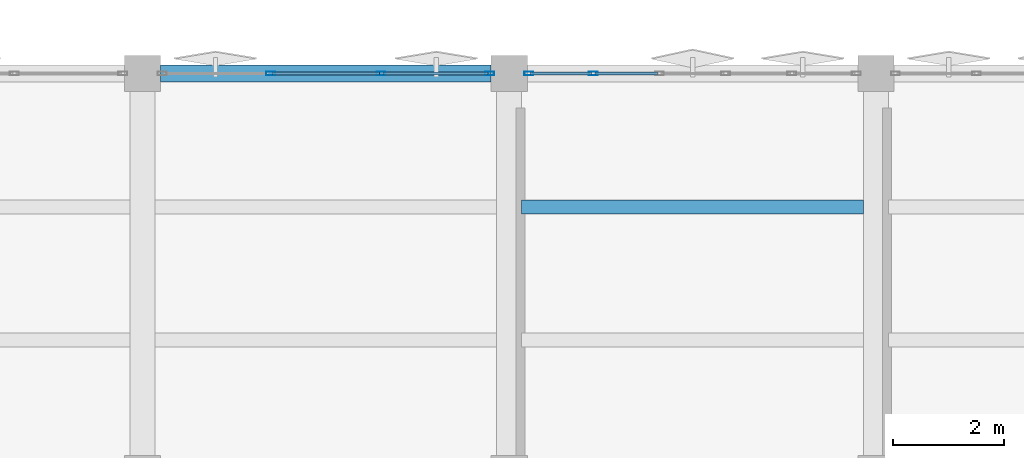
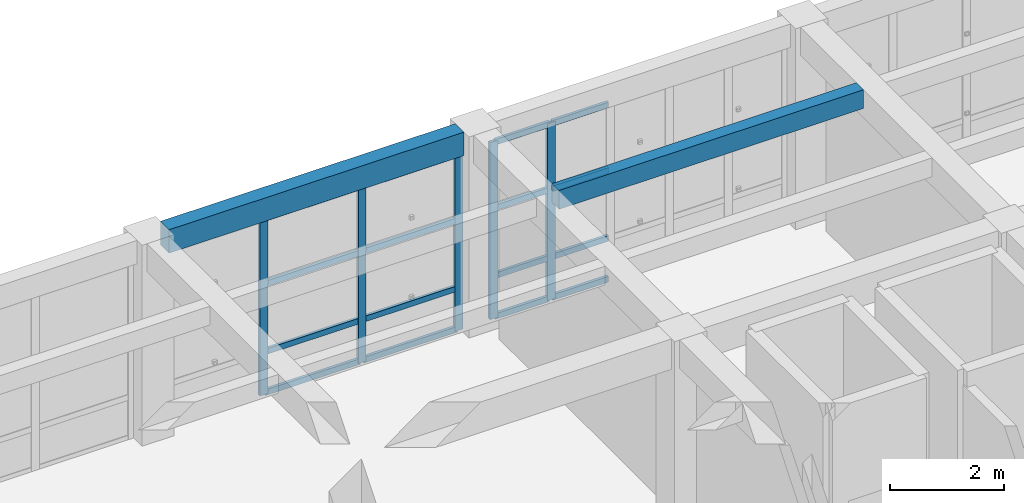
# One storey, part 22 of 48: 21 members, 2 beams, 2 elements without a shape of their own.
"""IFC4 building model written with IfcOpenShell, lengths in metres."""

from ifc_helpers import new_model, si_unit, direction, frame, origin, origin_2d, place, context, subcontext, project, spatial, rectangle, hollow_rectangle, extrude, material, layer, layer_set, material_profile, profile_set, type_object, element, aggregate, save


model = new_model("IFC4")

# Units and contexts
model_context = context("Model", 3, precision=1e-05, world=origin(), true_north=direction((0.0, 1.0)))
body_context = subcontext(model_context, "Body", "Model", "MODEL_VIEW")
ifc_project = project(units=[si_unit("LENGTHUNIT", "METRE"), si_unit("AREAUNIT", "SQUARE_METRE"), si_unit("VOLUMEUNIT", "CUBIC_METRE"), si_unit("PLANEANGLEUNIT", "RADIAN"), si_unit("MASSUNIT", "GRAM", prefix="KILO")], contexts=[model_context])

# Site, building, storey
site_placement = place(None, origin())
site = spatial("IfcSite", under=ifc_project, at=site_placement, CompositionType="ELEMENT")
building_placement = place(site_placement, origin())
building = spatial("IfcBuilding", under=site, at=building_placement, Name="Kharisveld Research Institute", CompositionType="ELEMENT")
storey_placement = place(building_placement, frame((0.0, 0.0, 14.10009765625)))
storey = spatial("IfcBuildingStorey", under=building, at=storey_placement, Name="L03", CompositionType="ELEMENT", Elevation=14.10009765625)

# Curtain wall, members
ifc_material_1 = material(Name="Thermally Broken Aluminium Curtain Wall", Category="aluminium")
ifc_layer_1 = layer(ifc_material_1, 0.159912109375)
ifc_layer_set_1 = layer_set([ifc_layer_1], Name="CW_SYS_06")
curtain_wall_type_1 = type_object("IfcCurtainWallType", Name="CW_SYS_06", PredefinedType="NOTDEFINED", material=ifc_layer_set_1)
curtain_wall_1_placement = place(storey_placement, origin())
curtain_wall_1 = element("IfcCurtainWall", 1, at=curtain_wall_1_placement, inside=storey, type_object=curtain_wall_type_1, Name="CW:V2:L03:N2", PredefinedType="NOTDEFINED")
ifc_material_2 = material(Name="Anodised Aluminium AW-6063-T6", Category="aluminium")
ifc_material_profile_1 = material_profile(ifc_material_2, hollow_rectangle(XDim=0.06494140625, YDim=0.159912109375, WallThickness=0.00390625, at=origin_2d()))
ifc_profile_set_1 = profile_set([ifc_material_profile_1], Name="Anodised Aluminium AW-6063-T6")
member_type_1 = type_object("IfcMemberType", Name="CW_MUL_160", PredefinedType="MULLION", material=ifc_profile_set_1)
member_1_placement = place(storey_placement, frame((130.106689453125, 60.800048828125, 0.0), z_axis=(0.0, 0.0, 1.0), x_axis=(0.0, 1.0, 0.0)))
member_1 = element("IfcMember", 2, at=member_1_placement, type_object=member_type_1, Name="CW-06 mullion 2", PredefinedType="MULLION", context=body_context, shape_type="SweptSolid", body=[
    extrude(hollow_rectangle(XDim=0.06494140625, YDim=0.159912109375, WallThickness=0.00390625, at=origin_2d()), origin(), (0.0, 0.0, 1.0), 3.77978515625),
])
member_2_placement = place(storey_placement, frame((132.09326171875, 60.800048828125, 0.0), z_axis=(0.0, 0.0, 1.0), x_axis=(0.0, 1.0, 0.0)))
member_2 = element("IfcMember", 3, at=member_2_placement, type_object=member_type_1, Name="CW-06 mullion 3", PredefinedType="MULLION", context=body_context, shape_type="SweptSolid", body=[
    extrude(hollow_rectangle(XDim=0.06494140625, YDim=0.159912109375, WallThickness=0.00390625, at=origin_2d()), origin(), (0.0, 0.0, 1.0), 3.77978515625),
])
member_3_placement = place(storey_placement, frame((134.047607421875, 60.800048828125, 0.0), z_axis=(0.0, 0.0, 1.0), x_axis=(0.0, 1.0, 0.0)))
member_3 = element("IfcMember", 4, at=member_3_placement, type_object=member_type_1, Name="CW-06 mullion 4", PredefinedType="MULLION", context=body_context, shape_type="SweptSolid", body=[
    extrude(hollow_rectangle(XDim=0.06494140625, YDim=0.159912109375, WallThickness=0.00390625, at=origin_2d()), origin(), (0.0, 0.0, 1.0), 3.77978515625),
])

ifc_material_3 = material(Name="Thermally Broken Aluminium Curtain Wall", Category="aluminium")
ifc_layer_2 = layer(ifc_material_3, 0.159912109375)
ifc_layer_set_2 = layer_set([ifc_layer_2], Name="CW_SYS_01")
curtain_wall_type_2 = type_object("IfcCurtainWallType", Name="CW_SYS_01", PredefinedType="NOTDEFINED", material=ifc_layer_set_2)
curtain_wall_2_placement = place(storey_placement, origin())
curtain_wall_2 = element("IfcCurtainWall", 5, at=curtain_wall_2_placement, inside=storey, type_object=curtain_wall_type_2, Name="CW:V2:L03:N3", PredefinedType="NOTDEFINED")
member_4_placement = place(storey_placement, frame((134.75244140625, 60.800048828125, 0.0), z_axis=(0.0, 0.0, 1.0), x_axis=(0.0, 1.0, 0.0)))
member_4 = element("IfcMember", 6, at=member_4_placement, type_object=member_type_1, Name="CW-01 mullion 1", PredefinedType="MULLION", context=body_context, shape_type="SweptSolid", body=[
    extrude(hollow_rectangle(XDim=0.06494140625, YDim=0.159912109375, WallThickness=0.00390625, at=origin_2d()), origin(), (0.0, 0.0, 1.0), 3.77978515625),
])
member_5_placement = place(storey_placement, frame((135.912109375, 60.800048828125, 0.0), z_axis=(0.0, 0.0, 1.0), x_axis=(0.0, 1.0, 0.0)))
member_5 = element("IfcMember", 7, at=member_5_placement, type_object=member_type_1, Name="CW-01 mullion 2", PredefinedType="MULLION", context=body_context, shape_type="SweptSolid", body=[
    extrude(hollow_rectangle(XDim=0.06494140625, YDim=0.159912109375, WallThickness=0.00390625, at=origin_2d()), origin(), (0.0, 0.0, 1.0), 3.77978515625),
])

# Member
ifc_material_4 = material(Name="Anodised Aluminium AW-6063-T6", Category="aluminium")
ifc_material_profile_2 = material_profile(ifc_material_4, hollow_rectangle(XDim=0.06005859375, YDim=0.1201171875, WallThickness=0.00390625, at=origin_2d()))
ifc_profile_set_2 = profile_set([ifc_material_profile_2], Name="Anodised Aluminium AW-6063-T6")
member_type_2 = type_object("IfcMemberType", Name="CW_TRN_120", PredefinedType="USERDEFINED", material=ifc_profile_set_2)
member_6_placement = place(storey_placement, frame((130.13916015625, 60.800048828125, 0.02978515625), z_axis=(1.0, 0.0, 0.0), x_axis=(0.0, 1.0, 0.0)))
member_6 = element("IfcMember", 8, at=member_6_placement, type_object=member_type_2, Name="CW-06 transom 2.1", ObjectType="TRANSOM", PredefinedType="USERDEFINED", context=body_context, shape_type="SweptSolid", body=[
    extrude(hollow_rectangle(XDim=0.06005859375, YDim=0.1201171875, WallThickness=0.00390625, at=origin_2d()), origin(), (0.0, 0.0, 1.0), 1.921630859375),
])

member_7_placement = place(storey_placement, frame((130.13916015625, 60.800048828125, 0.89990234375), z_axis=(1.0, 0.0, 0.0), x_axis=(0.0, 1.0, 0.0)))
member_7 = element("IfcMember", 9, at=member_7_placement, type_object=member_type_2, Name="CW-06 transom 2.2", ObjectType="TRANSOM", PredefinedType="USERDEFINED", context=body_context, shape_type="SweptSolid", body=[
    extrude(hollow_rectangle(XDim=0.06005859375, YDim=0.1201171875, WallThickness=0.00390625, at=origin_2d()), origin(), (0.0, 0.0, 1.0), 1.921630859375),
])

member_8_placement = place(storey_placement, frame((130.13916015625, 60.800048828125, 2.349853515625), z_axis=(1.0, 0.0, 0.0), x_axis=(0.0, 1.0, 0.0)))
member_8 = element("IfcMember", 10, at=member_8_placement, type_object=member_type_2, Name="CW-06 transom 2.3", ObjectType="TRANSOM", PredefinedType="USERDEFINED", context=body_context, shape_type="SweptSolid", body=[
    extrude(hollow_rectangle(XDim=0.06005859375, YDim=0.1201171875, WallThickness=0.00390625, at=origin_2d()), origin(), (0.0, 0.0, 1.0), 1.921630859375),
])

member_9_placement = place(storey_placement, frame((130.13916015625, 60.800048828125, 3.75), z_axis=(1.0, 0.0, 0.0), x_axis=(0.0, 1.0, 0.0)))
member_9 = element("IfcMember", 11, at=member_9_placement, type_object=member_type_2, Name="CW-06 transom 2.4", ObjectType="TRANSOM", PredefinedType="USERDEFINED", context=body_context, shape_type="SweptSolid", body=[
    extrude(hollow_rectangle(XDim=0.06005859375, YDim=0.1201171875, WallThickness=0.00390625, at=origin_2d()), origin(), (0.0, 0.0, 1.0), 1.921630859375),
])

member_10_placement = place(storey_placement, frame((132.125732421875, 60.800048828125, 0.02978515625), z_axis=(1.0, 0.0, 0.0), x_axis=(0.0, 1.0, 0.0)))
member_10 = element("IfcMember", 12, at=member_10_placement, type_object=member_type_2, Name="CW-06 transom 3.1", ObjectType="TRANSOM", PredefinedType="USERDEFINED", context=body_context, shape_type="SweptSolid", body=[
    extrude(hollow_rectangle(XDim=0.06005859375, YDim=0.1201171875, WallThickness=0.00390625, at=origin_2d()), origin(), (0.0, 0.0, 1.0), 1.88916015625),
])

member_11_placement = place(storey_placement, frame((132.125732421875, 60.800048828125, 0.89990234375), z_axis=(1.0, 0.0, 0.0), x_axis=(0.0, 1.0, 0.0)))
member_11 = element("IfcMember", 13, at=member_11_placement, type_object=member_type_2, Name="CW-06 transom 3.2", ObjectType="TRANSOM", PredefinedType="USERDEFINED", context=body_context, shape_type="SweptSolid", body=[
    extrude(hollow_rectangle(XDim=0.06005859375, YDim=0.1201171875, WallThickness=0.00390625, at=origin_2d()), origin(), (0.0, 0.0, 1.0), 1.88916015625),
])

member_12_placement = place(storey_placement, frame((132.125732421875, 60.800048828125, 2.349853515625), z_axis=(1.0, 0.0, 0.0), x_axis=(0.0, 1.0, 0.0)))
member_12 = element("IfcMember", 14, at=member_12_placement, type_object=member_type_2, Name="CW-06 transom 3.3", ObjectType="TRANSOM", PredefinedType="USERDEFINED", context=body_context, shape_type="SweptSolid", body=[
    extrude(hollow_rectangle(XDim=0.06005859375, YDim=0.1201171875, WallThickness=0.00390625, at=origin_2d()), origin(), (0.0, 0.0, 1.0), 1.88916015625),
])

member_13_placement = place(storey_placement, frame((132.125732421875, 60.800048828125, 3.75), z_axis=(1.0, 0.0, 0.0), x_axis=(0.0, 1.0, 0.0)))
member_13 = element("IfcMember", 15, at=member_13_placement, type_object=member_type_2, Name="CW-06 transom 3.4", ObjectType="TRANSOM", PredefinedType="USERDEFINED", context=body_context, shape_type="SweptSolid", body=[
    extrude(hollow_rectangle(XDim=0.06005859375, YDim=0.1201171875, WallThickness=0.00390625, at=origin_2d()), origin(), (0.0, 0.0, 1.0), 1.88916015625),
])

aggregate(curtain_wall_1, [member_1, member_2, member_3, member_6, member_7, member_8, member_9, member_10, member_11, member_12, member_13])

member_14_placement = place(storey_placement, frame((134.784912109375, 60.800048828125, 0.02978515625), z_axis=(1.0, 0.0, 0.0), x_axis=(0.0, 1.0, 0.0)))
member_14 = element("IfcMember", 16, at=member_14_placement, type_object=member_type_2, Name="CW-01 transom 1.1", ObjectType="TRANSOM", PredefinedType="USERDEFINED", context=body_context, shape_type="SweptSolid", body=[
    extrude(hollow_rectangle(XDim=0.06005859375, YDim=0.1201171875, WallThickness=0.00390625, at=origin_2d()), origin(), (0.0, 0.0, 1.0), 1.094482421875),
])

member_15_placement = place(storey_placement, frame((134.784912109375, 60.800048828125, 0.89990234375), z_axis=(1.0, 0.0, 0.0), x_axis=(0.0, 1.0, 0.0)))
member_15 = element("IfcMember", 17, at=member_15_placement, type_object=member_type_2, Name="CW-01 transom 1.2", ObjectType="TRANSOM", PredefinedType="USERDEFINED", context=body_context, shape_type="SweptSolid", body=[
    extrude(hollow_rectangle(XDim=0.06005859375, YDim=0.1201171875, WallThickness=0.00390625, at=origin_2d()), origin(), (0.0, 0.0, 1.0), 1.094482421875),
])

member_16_placement = place(storey_placement, frame((134.784912109375, 60.800048828125, 2.349853515625), z_axis=(1.0, 0.0, 0.0), x_axis=(0.0, 1.0, 0.0)))
member_16 = element("IfcMember", 18, at=member_16_placement, type_object=member_type_2, Name="CW-01 transom 1.3", ObjectType="TRANSOM", PredefinedType="USERDEFINED", context=body_context, shape_type="SweptSolid", body=[
    extrude(hollow_rectangle(XDim=0.06005859375, YDim=0.1201171875, WallThickness=0.00390625, at=origin_2d()), origin(), (0.0, 0.0, 1.0), 1.094482421875),
])

member_17_placement = place(storey_placement, frame((134.784912109375, 60.800048828125, 3.75), z_axis=(1.0, 0.0, 0.0), x_axis=(0.0, 1.0, 0.0)))
member_17 = element("IfcMember", 19, at=member_17_placement, type_object=member_type_2, Name="CW-01 transom 1.4", ObjectType="TRANSOM", PredefinedType="USERDEFINED", context=body_context, shape_type="SweptSolid", body=[
    extrude(hollow_rectangle(XDim=0.06005859375, YDim=0.1201171875, WallThickness=0.00390625, at=origin_2d()), origin(), (0.0, 0.0, 1.0), 1.094482421875),
])

member_18_placement = place(storey_placement, frame((135.944580078125, 60.800048828125, 0.02978515625), z_axis=(1.0, 0.0, 0.0), x_axis=(0.0, 1.0, 0.0)))
member_18 = element("IfcMember", 20, at=member_18_placement, type_object=member_type_2, Name="CW-01 transom 2.1", ObjectType="TRANSOM", PredefinedType="USERDEFINED", context=body_context, shape_type="SweptSolid", body=[
    extrude(hollow_rectangle(XDim=0.06005859375, YDim=0.1201171875, WallThickness=0.00390625, at=origin_2d()), origin(), (0.0, 0.0, 1.0), 1.126953125),
])

member_19_placement = place(storey_placement, frame((135.944580078125, 60.800048828125, 0.89990234375), z_axis=(1.0, 0.0, 0.0), x_axis=(0.0, 1.0, 0.0)))
member_19 = element("IfcMember", 21, at=member_19_placement, type_object=member_type_2, Name="CW-01 transom 2.2", ObjectType="TRANSOM", PredefinedType="USERDEFINED", context=body_context, shape_type="SweptSolid", body=[
    extrude(hollow_rectangle(XDim=0.06005859375, YDim=0.1201171875, WallThickness=0.00390625, at=origin_2d()), origin(), (0.0, 0.0, 1.0), 1.126953125),
])

member_20_placement = place(storey_placement, frame((135.944580078125, 60.800048828125, 2.349853515625), z_axis=(1.0, 0.0, 0.0), x_axis=(0.0, 1.0, 0.0)))
member_20 = element("IfcMember", 22, at=member_20_placement, type_object=member_type_2, Name="CW-01 transom 2.3", ObjectType="TRANSOM", PredefinedType="USERDEFINED", context=body_context, shape_type="SweptSolid", body=[
    extrude(hollow_rectangle(XDim=0.06005859375, YDim=0.1201171875, WallThickness=0.00390625, at=origin_2d()), origin(), (0.0, 0.0, 1.0), 1.126953125),
])

member_21_placement = place(storey_placement, frame((135.944580078125, 60.800048828125, 3.75), z_axis=(1.0, 0.0, 0.0), x_axis=(0.0, 1.0, 0.0)))
member_21 = element("IfcMember", 23, at=member_21_placement, type_object=member_type_2, Name="CW-01 transom 2.4", ObjectType="TRANSOM", PredefinedType="USERDEFINED", context=body_context, shape_type="SweptSolid", body=[
    extrude(hollow_rectangle(XDim=0.06005859375, YDim=0.1201171875, WallThickness=0.00390625, at=origin_2d()), origin(), (0.0, 0.0, 1.0), 1.126953125),
])

aggregate(curtain_wall_2, [member_4, member_5, member_14, member_15, member_16, member_17, member_18, member_19, member_20, member_21])

# Beams
ifc_material_5 = material(Name="Concrete C40/50", Category="concrete")
ifc_material_profile_3 = material_profile(ifc_material_5, rectangle(XDim=0.300048828125, YDim=0.5, at=origin_2d()))
ifc_profile_set_3 = profile_set([ifc_material_profile_3], Name="Concrete C40/50")
beam_type_1 = type_object("IfcBeamType", Name="SP_RC_300x500", PredefinedType="SPANDREL", material=ifc_profile_set_3)
beam_1_placement = place(storey_placement, frame((128.125, 60.800048828125, 4.039794921875), z_axis=(1.0, 0.0, 0.0), x_axis=(0.0, 1.0, 0.0)))
element("IfcBeam", 24, at=beam_1_placement, inside=storey, type_object=beam_type_1, Name="BM:V2:L03:U2_3", PredefinedType="SPANDREL", context=body_context, shape_type="SweptSolid", body=[
    extrude(rectangle(XDim=0.300048828125, YDim=0.5, at=origin_2d()), origin(), (0.0, 0.0, 1.0), 5.949951171875),
])
ifc_material_6 = material(Name="Concrete C40/50", Category="concrete")
ifc_material_profile_4 = material_profile(ifc_material_6, rectangle(XDim=0.25, YDim=0.39990234375, at=origin_2d()))
ifc_profile_set_4 = profile_set([ifc_material_profile_4], Name="Concrete C40/50")
beam_type_2 = type_object("IfcBeamType", Name="WB_RC_250x400", PredefinedType="JOIST", material=ifc_profile_set_4)
beam_2_placement = place(storey_placement, frame((134.625, 58.39990234375, 4.08984375), z_axis=(1.0, 0.0, 0.0), x_axis=(0.0, 1.0, 0.0)))
element("IfcBeam", 25, at=beam_2_placement, inside=storey, type_object=beam_type_2, Name="BM:V2:L03:J_3_2_R2", PredefinedType="JOIST", context=body_context, shape_type="SweptSolid", body=[
    extrude(rectangle(XDim=0.25, YDim=0.39990234375, at=origin_2d()), origin(), (0.0, 0.0, 1.0), 6.14990234375),
])

save(model, "model.ifc")
